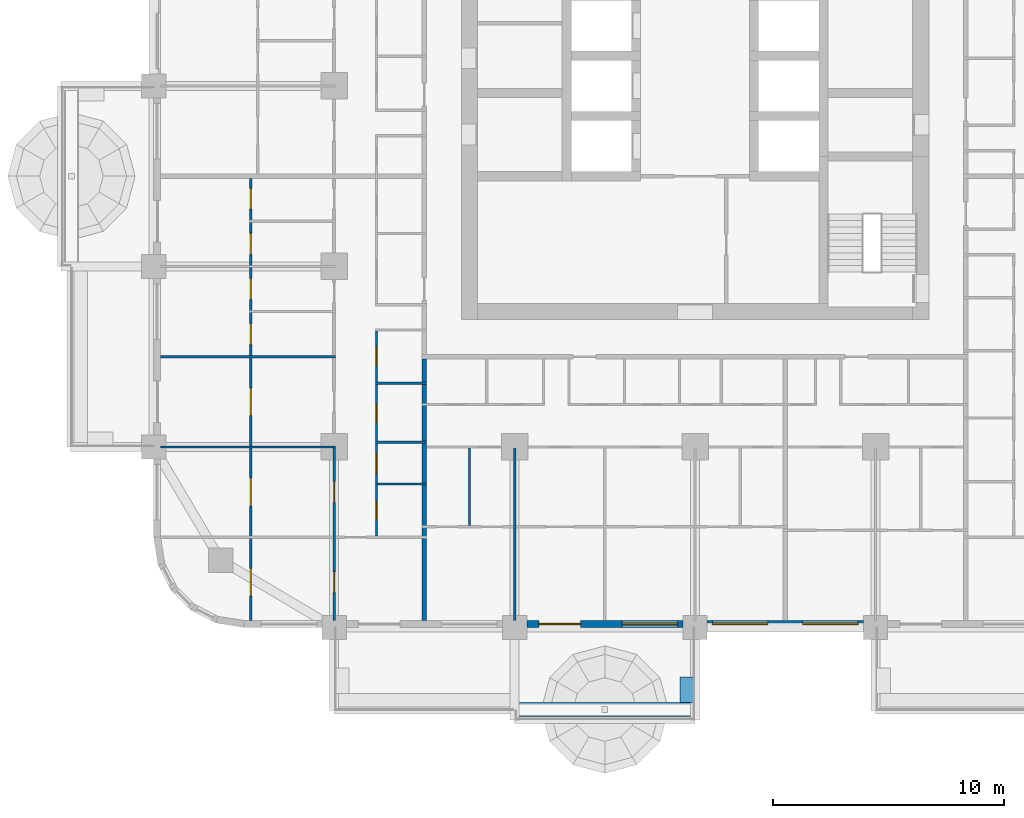
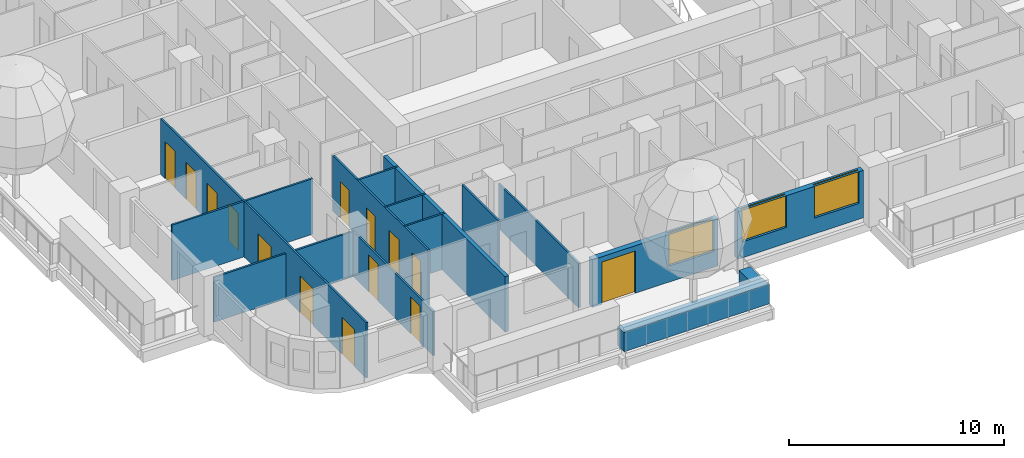
# One storey, part 3 of 18: 15 walls, 14 doors, 3 windows, 17 openings.
"""IFC4 building model written with IfcOpenShell, lengths in metres."""

import ifcopenshell
import ifcopenshell.guid

model = None  # the IFC model being written
_history = None  # IfcOwnerHistory: only IFC2X3 demands one
_inside = {}  # id of a spatial element -> (the spatial element, [elements in it])
_under = {}  # id of a project, library or spatial element -> (it, [spatial elements below it])
_declared = {}  # id of a project -> (the project, [libraries it declares])
_typed = {}  # id of a type object -> (the type object, [elements of that type])
_made_of = {}  # id of a material, layer set ... -> (it, [elements and type objects made of it])


def new_model(schema):
    """Start an empty IFC model of exactly this schema.

    Asked for "IFC4X3", IfcOpenShell would pick the latest addendum, in which some entities
    have other attributes; the version numbers below select the first issue.
    IFC2X3 requires an IfcOwnerHistory on every rooted entity: one is made here for all.
    """
    global model, _history
    if schema == "IFC4X3":
        model = ifcopenshell.file(schema_version=(4, 3, 0, 0))
    else:
        model = ifcopenshell.file(schema=schema)
    _inside.clear()
    _under.clear()
    _declared.clear()
    _typed.clear()
    _made_of.clear()
    _history = None
    if model.schema == "IFC2X3":
        org = make("IfcOrganization", Name="unknown")
        user = make(
            "IfcPersonAndOrganization",
            ThePerson=make("IfcPerson", FamilyName="unknown"),
            TheOrganization=org,
        )
        app = make(
            "IfcApplication",
            ApplicationDeveloper=org,
            Version="unknown",
            ApplicationFullName="unknown",
            ApplicationIdentifier="unknown",
        )
        _history = make(
            "IfcOwnerHistory",
            OwningUser=user,
            OwningApplication=app,
            ChangeAction="ADDED",
            CreationDate=0,
        )
    return model


def make(cls, **values):
    """One entity of the class cls with the attributes given. An attribute that is None is left unset."""
    return model.create_entity(
        cls, **{name: value for name, value in values.items() if value is not None}
    )


def rooted(cls, **values):
    """An entity with a GlobalId (a new one), such as an element, a storey or a relation."""
    return make(cls, GlobalId=ifcopenshell.guid.new(), OwnerHistory=_history, **values)


def si_unit(unit_type, name, prefix=None):
    """IfcSIUnit, for example si_unit("LENGTHUNIT", "METRE", prefix="MILLI")."""
    return make("IfcSIUnit", UnitType=unit_type, Prefix=prefix, Name=name)


def assignment(units):
    """IfcUnitAssignment: the units of a project."""
    return None if units is None else make("IfcUnitAssignment", Units=units)


def point(xyz):
    """IfcCartesianPoint."""
    return None if xyz is None else make("IfcCartesianPoint", Coordinates=xyz)


def direction(xyz):
    """IfcDirection."""
    return None if xyz is None else make("IfcDirection", DirectionRatios=xyz)


def frame(location, z_axis=None, x_axis=None):
    """IfcAxis2Placement3D, a coordinate frame: its origin and axes. An axis left out is left unset."""
    return make(
        "IfcAxis2Placement3D",
        Location=point(location),
        Axis=direction(z_axis),
        RefDirection=direction(x_axis),
    )


def frame_2d(location, x_axis=None):
    """IfcAxis2Placement2D, a coordinate frame in the plane: its origin and x axis."""
    return make(
        "IfcAxis2Placement2D", Location=point(location), RefDirection=direction(x_axis)
    )


def origin():
    """The frame at (0, 0, 0) with its axes left unset."""
    return frame((0.0, 0.0, 0.0))


def place(relative_to, where):
    """IfcLocalPlacement: puts the frame where relative to a parent placement (None: the world)."""
    return make(
        "IfcLocalPlacement", PlacementRelTo=relative_to, RelativePlacement=where
    )


def context(
    kind, dimensions, precision=None, world=None, true_north=None, identifier=None
):
    """IfcGeometricRepresentationContext, for example the 3D "Model" context."""
    return make(
        "IfcGeometricRepresentationContext",
        ContextIdentifier=identifier,
        ContextType=kind,
        CoordinateSpaceDimension=dimensions,
        Precision=precision,
        WorldCoordinateSystem=world,
        TrueNorth=true_north,
    )


def subcontext(parent, identifier, kind, view, scale=None):
    """IfcGeometricRepresentationSubContext, for example "Body" below "Model"."""
    return make(
        "IfcGeometricRepresentationSubContext",
        ContextIdentifier=identifier,
        ContextType=kind,
        ParentContext=parent,
        TargetScale=scale,
        TargetView=view,
    )


def project(units=None, contexts=None):
    """IfcProject with its units and contexts."""
    return rooted(
        "IfcProject",
        Name="project",
        RepresentationContexts=contexts,
        UnitsInContext=assignment(units),
    )


def spatial(cls, under=None, at=None, **own):
    """A site, building, storey or space (cls), placed at a placement, below another one or the project."""
    s = rooted(cls, ObjectPlacement=at, **own)
    if under is not None:
        _under.setdefault(under.id(), (under, []))[1].append(s)
    return s


def profile(cls, at=None, kind="AREA", **sizes):
    """A parametric profile (cls). Its sizes go by their IFC names, for example OverallWidth=200.0."""
    return make(cls, ProfileType=kind, Position=at, **sizes)


def rectangle(**sizes):
    """IfcRectangleProfileDef."""
    return profile("IfcRectangleProfileDef", **sizes)


def extrude(swept, where, along, depth):
    """IfcExtrudedAreaSolid: the profile swept, set in the frame where, extruded along a direction by depth."""
    return make(
        "IfcExtrudedAreaSolid",
        SweptArea=swept,
        Position=where,
        ExtrudedDirection=direction(along),
        Depth=depth,
    )


def shape(context_of_items, identifier, shape_type, items):
    """IfcShapeRepresentation: the items that make up one representation, for example the "Body"."""
    return make(
        "IfcShapeRepresentation",
        ContextOfItems=context_of_items,
        RepresentationIdentifier=identifier,
        RepresentationType=shape_type,
        Items=items,
    )


def material(Name=None, Category=None):
    """IfcMaterial."""
    return make("IfcMaterial", Name=Name, Category=Category)


def layer(
    of_material, thickness, ventilated=None, Name=None, Category=None, Priority=None
):
    """IfcMaterialLayer: one layer of a wall or slab, of a material (None: an air gap)."""
    return make(
        "IfcMaterialLayer",
        Material=of_material,
        LayerThickness=thickness,
        IsVentilated=ventilated,
        Name=Name,
        Category=Category,
        Priority=Priority,
    )


def layer_set(layers, Name=None):
    """IfcMaterialLayerSet."""
    return make("IfcMaterialLayerSet", MaterialLayers=layers, LayerSetName=Name)


def made_of(thing, what):
    """Note that an element or type object is made of a material, layer set ...; save() writes the relation."""
    if what is not None:
        _made_of.setdefault(what.id(), (what, []))[1].append(thing)
    return thing


def type_object(cls, material=None, **own):
    """A type object (cls), such as IfcWallType, which elements share."""
    return made_of(rooted(cls, **own), material)


def element(
    cls,
    number,
    at=None,
    inside=None,
    cuts=None,
    type_object=None,
    material=None,
    context=None,
    identifier="Body",
    shape_type=None,
    held_by="IfcProductDefinitionShape",
    body=None,
    shapes=None,
    **own,
):
    """One element of the class cls, such as IfcWall. Its Tag is "e" and its number.

    at: its placement. inside: the storey or other place that contains it. cuts: it is an
    opening in that element (IfcRelVoidsElement). A single representation is given by context,
    identifier, shape_type and body (its items); several are given by shapes. held_by: the class
    of the entity that holds the representations. save() writes the other relations.
    """
    e = rooted(cls, Tag="e%d" % number, ObjectPlacement=at, **own)
    if body is not None:
        shapes = [shape(context, identifier, shape_type, body)]
    if shapes is not None:
        e.Representation = make(held_by, Representations=shapes)
    if inside is not None:
        _inside.setdefault(inside.id(), (inside, []))[1].append(e)
    if cuts is not None:
        rooted(
            "IfcRelVoidsElement", RelatingBuildingElement=cuts, RelatedOpeningElement=e
        )
    if type_object is not None:
        _typed.setdefault(type_object.id(), (type_object, []))[1].append(e)
    return made_of(e, material)


def fill(opening, filler):
    """IfcRelFillsElement: the door or window that sits in an opening."""
    return rooted(
        "IfcRelFillsElement",
        RelatingOpeningElement=opening,
        RelatedBuildingElement=filler,
    )


def aggregate(whole, parts):
    """IfcRelAggregates: a whole, such as a stair, and the parts it consists of."""
    return rooted("IfcRelAggregates", RelatingObject=whole, RelatedObjects=parts)


def save(model, path):
    """Write the relations noted so far, then the file.

    IfcRelAggregates (storeys below a building ...), IfcRelContainedInSpatialStructure (elements
    in a storey), IfcRelDefinesByType, IfcRelAssociatesMaterial and IfcRelDeclares: one each for
    every whole, place, type object, material and project.
    """
    for whole, parts in _under.values():
        aggregate(whole, parts)
    for where, things in _inside.values():
        rooted(
            "IfcRelContainedInSpatialStructure",
            RelatedElements=things,
            RelatingStructure=where,
        )
    for kind, things in _typed.values():
        rooted("IfcRelDefinesByType", RelatedObjects=things, RelatingType=kind)
    for what, things in _made_of.values():
        rooted("IfcRelAssociatesMaterial", RelatedObjects=things, RelatingMaterial=what)
    for by, libraries in _declared.values():
        rooted("IfcRelDeclares", RelatingContext=by, RelatedDefinitions=libraries)
    model.write(path)


model = new_model("IFC4")

# Units and contexts
model_context = context("Model", 3, precision=1e-05, world=origin(), true_north=direction((0.0, 1.0)))
body_context = subcontext(model_context, "Body", "Model", "MODEL_VIEW")
ifc_project = project(units=[si_unit("LENGTHUNIT", "METRE"), si_unit("AREAUNIT", "SQUARE_METRE"), si_unit("VOLUMEUNIT", "CUBIC_METRE"), si_unit("PLANEANGLEUNIT", "RADIAN"), si_unit("MASSUNIT", "GRAM", prefix="KILO")], contexts=[model_context])

# Site, building, storey
site_placement = place(None, origin())
site = spatial("IfcSite", under=ifc_project, at=site_placement, CompositionType="ELEMENT")
building_placement = place(site_placement, origin())
building = spatial("IfcBuilding", under=site, at=building_placement, Name="Ludao Terraces", CompositionType="ELEMENT")
storey_placement = place(building_placement, frame((0.0, 0.0, 26.300048828125)))
storey = spatial("IfcBuildingStorey", under=building, at=storey_placement, Name="L06", CompositionType="ELEMENT", Elevation=26.300048828125)

# Walls
ifc_material_1 = material(Name="Concrete C40", Category="concrete")
ifc_layer_1 = layer(ifc_material_1, 0.60009765625)
ifc_layer_set_1 = layer_set([ifc_layer_1], Name="ENV Planter trough 600")
wall_type_1 = type_object("IfcWallType", Name="ENV Planter trough 600", PredefinedType="USERDEFINED", material=ifc_layer_set_1)
wall_1_placement = place(storey_placement, frame((77.199951171875, 38.050048828125, 0.0), z_axis=(0.0, 0.0, 1.0), x_axis=(1.0, 0.0, 0.0)))
element("IfcWall", 1, at=wall_1_placement, inside=storey, type_object=wall_type_1, Name="PL-L06-S2", ObjectType="PLANTER", PredefinedType="USERDEFINED", context=body_context, shape_type="SweptSolid", body=[
    extrude(rectangle(XDim=7.800048828125, YDim=0.60009765625, at=frame_2d((3.89990234375, 0.0))), origin(), (0.0, 0.0, 1.0), 1.099853515625),
])
wall_2_placement = place(storey_placement, frame((84.64990234375, 38.35009765625, 0.0), z_axis=(0.0, 0.0, 1.0), x_axis=(0.0, 1.0, 0.0)))
element("IfcWall", 2, at=wall_2_placement, inside=storey, type_object=wall_type_1, Name="PL-L06-S2-SB", ObjectType="PLANTER", PredefinedType="USERDEFINED", context=body_context, shape_type="SweptSolid", body=[
    extrude(rectangle(XDim=1.099853515625, YDim=0.60009765625, at=frame_2d((0.5498046875, 0.0))), origin(), (0.0, 0.0, 1.0), 1.099853515625),
])

# Wall, openings, door, window
ifc_material_2 = material(Name="Granite cladding", Category="masonry")
ifc_layer_2 = layer(ifc_material_2, 0.0400390625, Category="stone")
ifc_material_3 = material(Name="Mineral wool")
ifc_layer_3 = layer(ifc_material_3, 0.06005859375)
ifc_layer_4 = layer(ifc_material_1, 0.199951171875, Category="concrete")
ifc_layer_set_2 = layer_set([ifc_layer_2, ifc_layer_3, ifc_layer_4], Name="ENV Stone-clad wall 300")
wall_type_2 = type_object("IfcWallType", Name="ENV Stone-clad wall 300", PredefinedType="SOLIDWALL", material=ifc_layer_set_2)
wall_3_placement = place(storey_placement, frame((77.72509765625, 41.75, 0.0), z_axis=(0.0, 0.0, 1.0), x_axis=(1.0, 0.0, 0.0)))
wall_3 = element("IfcWall", 3, at=wall_3_placement, inside=storey, type_object=wall_type_2, Name="EW-L06-S3", PredefinedType="SOLIDWALL", context=body_context, shape_type="SweptSolid", body=[
    extrude(rectangle(XDim=6.75, YDim=0.300048828125, at=frame_2d((3.375, 0.0))), origin(), (0.0, 0.0, 1.0), 2.699951171875),
])
opening_1_placement = place(wall_3_placement, frame((0.52490234375, 0.0, 0.0)))
opening_1 = element("IfcOpeningElement", 4, at=opening_1_placement, cuts=wall_3, Name="Opening BD", PredefinedType="OPENING", context=body_context, shape_type="SweptSolid", body=[
    extrude(rectangle(XDim=1.800048828125, YDim=2.39990234375, at=frame_2d((0.89990234375, 1.199951171875))), frame((0.0, 0.16015625, 0.0), z_axis=(0.0, -1.0, 0.0), x_axis=(1.0, 0.0, 0.0)), (0.0, 0.0, 1.0), 0.320068359375),
])
opening_2_placement = place(wall_3_placement, frame((4.125, 0.0, 0.89990234375)))
opening_2 = element("IfcOpeningElement", 5, at=opening_2_placement, cuts=wall_3, Name="Opening W1", PredefinedType="OPENING", context=body_context, shape_type="SweptSolid", body=[
    extrude(rectangle(XDim=2.39990234375, YDim=1.800048828125, at=frame_2d((1.199951171875, 0.89990234375))), frame((0.0, 0.16015625, 0.0), z_axis=(0.0, -1.0, 0.0), x_axis=(1.0, 0.0, 0.0)), (0.0, 0.0, 1.0), 0.320068359375),
])
ifc_material_4 = material(Name="Aluminium glazed door", Category="aluminium")
ifc_layer_5 = layer(ifc_material_4, 0.06005859375)
ifc_layer_set_3 = layer_set([ifc_layer_5], Name="ENV Balcony door BD 1800x2400")
door_type_1 = type_object("IfcDoorType", Name="ENV Balcony door BD 1800x2400", OperationType="DOUBLE_DOOR_SINGLE_SWING", PredefinedType="DOOR", material=ifc_layer_set_3)
door_1_placement = place(opening_1_placement, origin())
door_1 = element("IfcDoor", 6, at=door_1_placement, inside=storey, type_object=door_type_1, Name="BD-L06-S3-1", OperationType="DOUBLE_DOOR_SINGLE_SWING", OverallHeight=2.39990234375, OverallWidth=1.800048828125, PredefinedType="DOOR", context=body_context, shape_type="SweptSolid", body=[
    extrude(rectangle(XDim=1.800048828125, YDim=2.39990234375, at=frame_2d((0.89990234375, 1.199951171875))), frame((0.0, 0.02490234375, 0.0), z_axis=(0.0, -1.0, 0.0), x_axis=(1.0, 0.0, 0.0)), (0.0, 0.0, 1.0), 0.050048828125),
])
fill(opening_1, door_1)
ifc_material_5 = material(Name="Clear glass in aluminium frame", Category="aluminium")
ifc_layer_6 = layer(ifc_material_5, 0.06005859375)
ifc_layer_set_4 = layer_set([ifc_layer_6], Name="ENV Window W1 2400x1800")
window_type = type_object("IfcWindowType", Name="ENV Window W1 2400x1800", PartitioningType="DOUBLE_PANEL_VERTICAL", PredefinedType="WINDOW", material=ifc_layer_set_4)
window_1_placement = place(opening_2_placement, origin())
window_1 = element("IfcWindow", 7, at=window_1_placement, inside=storey, type_object=window_type, Name="W-L06-S3-2", OverallHeight=1.800048828125, OverallWidth=2.39990234375, PartitioningType="DOUBLE_PANEL_VERTICAL", PredefinedType="WINDOW", context=body_context, shape_type="SweptSolid", body=[
    extrude(rectangle(XDim=2.39990234375, YDim=1.800048828125, at=frame_2d((1.199951171875, 0.89990234375))), frame((0.0, 0.030029296875, 0.0), z_axis=(0.0, -1.0, 0.0), x_axis=(1.0, 0.0, 0.0)), (0.0, 0.0, 1.0), 0.06005859375),
])
fill(opening_2, window_1)

# Wall, openings, windows
wall_4_placement = place(storey_placement, frame((85.52490234375, 41.75, 0.0), z_axis=(0.0, 0.0, 1.0), x_axis=(1.0, 0.0, 0.0)))
wall_4 = element("IfcWall", 8, at=wall_4_placement, inside=storey, type_object=wall_type_2, Name="EW-L06-S4", PredefinedType="SOLIDWALL", context=body_context, shape_type="SweptSolid", body=[
    extrude(rectangle(XDim=6.75, YDim=0.300048828125, at=frame_2d((3.375, 0.0))), origin(), (0.0, 0.0, 1.0), 2.699951171875),
])
opening_3_placement = place(wall_4_placement, frame((0.22509765625, 0.0, 0.89990234375)))
opening_3 = element("IfcOpeningElement", 9, at=opening_3_placement, cuts=wall_4, Name="Opening W1", PredefinedType="OPENING", context=body_context, shape_type="SweptSolid", body=[
    extrude(rectangle(XDim=2.39990234375, YDim=1.800048828125, at=frame_2d((1.199951171875, 0.89990234375))), frame((0.0, 0.16015625, 0.0), z_axis=(0.0, -1.0, 0.0), x_axis=(1.0, 0.0, 0.0)), (0.0, 0.0, 1.0), 0.320068359375),
])
opening_4_placement = place(wall_4_placement, frame((4.125, 0.0, 0.89990234375)))
opening_4 = element("IfcOpeningElement", 10, at=opening_4_placement, cuts=wall_4, Name="Opening W1", PredefinedType="OPENING", context=body_context, shape_type="SweptSolid", body=[
    extrude(rectangle(XDim=2.39990234375, YDim=1.800048828125, at=frame_2d((1.199951171875, 0.89990234375))), frame((0.0, 0.16015625, 0.0), z_axis=(0.0, -1.0, 0.0), x_axis=(1.0, 0.0, 0.0)), (0.0, 0.0, 1.0), 0.320068359375),
])
window_2_placement = place(opening_3_placement, origin())
window_2 = element("IfcWindow", 11, at=window_2_placement, inside=storey, type_object=window_type, Name="W-L06-S4-1", OverallHeight=1.800048828125, OverallWidth=2.39990234375, PartitioningType="DOUBLE_PANEL_VERTICAL", PredefinedType="WINDOW", context=body_context, shape_type="SweptSolid", body=[
    extrude(rectangle(XDim=2.39990234375, YDim=1.800048828125, at=frame_2d((1.199951171875, 0.89990234375))), frame((0.0, 0.030029296875, 0.0), z_axis=(0.0, -1.0, 0.0), x_axis=(1.0, 0.0, 0.0)), (0.0, 0.0, 1.0), 0.06005859375),
])
fill(opening_3, window_2)
window_3_placement = place(opening_4_placement, origin())
window_3 = element("IfcWindow", 12, at=window_3_placement, inside=storey, type_object=window_type, Name="W-L06-S4-2", OverallHeight=1.800048828125, OverallWidth=2.39990234375, PartitioningType="DOUBLE_PANEL_VERTICAL", PredefinedType="WINDOW", context=body_context, shape_type="SweptSolid", body=[
    extrude(rectangle(XDim=2.39990234375, YDim=1.800048828125, at=frame_2d((1.199951171875, 0.89990234375))), frame((0.0, 0.030029296875, 0.0), z_axis=(0.0, -1.0, 0.0), x_axis=(1.0, 0.0, 0.0)), (0.0, 0.0, 1.0), 0.06005859375),
])
fill(opening_4, window_3)

# Walls
ifc_material_6 = material(Name="Gypsum plasterboard", Category="gypsum")
ifc_layer_7 = layer(ifc_material_6, 0.012451171875, Category="gypsum")
ifc_layer_8 = layer(ifc_material_3, 0.06005859375, Name="insulation")
ifc_material_7 = material(Name="Steel Q235", Category="steel")
ifc_layer_9 = layer(ifc_material_7, 0.014892578125, Name="stud")
ifc_layer_10 = layer(ifc_material_6, 0.012451171875, Category="gypsum")
ifc_layer_set_5 = layer_set([ifc_layer_7, ifc_layer_8, ifc_layer_9, ifc_layer_10], Name="INT Partition 100")
wall_type_3 = type_object("IfcWallType", Name="INT Partition 100", PredefinedType="PARTITIONING", material=ifc_layer_set_5)
wall_5_placement = place(storey_placement, frame((71.18017578125, 47.800048828125, 0.0), z_axis=(0.0, 0.0, 1.0), x_axis=(1.0, 0.0, 0.0)))
element("IfcWall", 13, at=wall_5_placement, inside=storey, type_object=wall_type_3, Name="PW-L06-PW005", PredefinedType="PARTITIONING", context=body_context, shape_type="SweptSolid", body=[
    extrude(rectangle(XDim=2.219970703125, YDim=0.10009765625, at=frame_2d((1.10986328125, 0.0))), origin(), (0.0, 0.0, 1.0), 3.14990234375),
])
wall_6_placement = place(storey_placement, frame((61.900146484375, 49.39990234375, 0.0), z_axis=(0.0, 0.0, 1.0), x_axis=(1.0, 0.0, 0.0)))
element("IfcWall", 14, at=wall_6_placement, inside=storey, type_object=wall_type_3, Name="PW-L06-PW007", PredefinedType="PARTITIONING", context=body_context, shape_type="SweptSolid", body=[
    extrude(rectangle(XDim=7.550048828125, YDim=0.10009765625, at=frame_2d((3.77490234375, 0.0))), origin(), (0.0, 0.0, 1.0), 2.5498046875),
])
for number, where, z_axis, x_axis, name in (
    (15, (71.18017578125, 49.60009765625, 0.0), (0.0, 0.0, 1.0), (1.0, 0.0, 0.0), "PW-L06-PW010"),
    (16, (71.18017578125, 52.14990234375, 0.0), (0.0, 0.0, 1.0), (1.0, 0.0, 0.0), "PW-L06-PW015"),
):
    element("IfcWall", number, at=place(storey_placement, frame(where, z_axis=z_axis, x_axis=x_axis)), inside=storey, type_object=wall_type_3, Name=name, PredefinedType="PARTITIONING", context=body_context, shape_type="SweptSolid", body=[
        extrude(rectangle(XDim=2.219970703125, YDim=0.10009765625, at=frame_2d((1.10986328125, 0.0))), origin(), (0.0, 0.0, 1.0), 3.14990234375),
    ])
wall_7_placement = place(storey_placement, frame((61.900146484375, 53.300048828125, 0.0), z_axis=(0.0, 0.0, 1.0), x_axis=(1.0, 0.0, 0.0)))
element("IfcWall", 17, at=wall_7_placement, inside=storey, type_object=wall_type_3, Name="PW-L06-PW016", PredefinedType="PARTITIONING", context=body_context, shape_type="SweptSolid", body=[
    extrude(rectangle(XDim=7.550048828125, YDim=0.10009765625, at=frame_2d((3.77490234375, 0.0))), origin(), (0.0, 0.0, 1.0), 3.14990234375),
])

# Wall, openings, doors
wall_8_placement = place(storey_placement, frame((65.800048828125, 41.900146484375, 0.0), z_axis=(0.0, 0.0, 1.0), x_axis=(0.0, 1.0, 0.0)))
wall_8 = element("IfcWall", 18, at=wall_8_placement, inside=storey, type_object=wall_type_3, Name="PW-L06-PW073", PredefinedType="PARTITIONING", context=body_context, shape_type="SweptSolid", body=[
    extrude(rectangle(XDim=19.099853515625, YDim=0.10009765625, at=frame_2d((9.5498046875, 0.0))), origin(), (0.0, 0.0, 1.0), 3.14990234375),
])
opening_5_placement = place(wall_8_placement, frame((1.050048828125, 0.0, 0.0)))
opening_5 = element("IfcOpeningElement", 19, at=opening_5_placement, cuts=wall_8, Name="Opening R01-001", PredefinedType="OPENING", context=body_context, shape_type="SweptSolid", body=[
    extrude(rectangle(XDim=1.199951171875, YDim=2.10009765625, at=frame_2d((0.60009765625, 1.050048828125))), frame((0.0, 0.06005859375, 0.0), z_axis=(0.0, -1.0, 0.0), x_axis=(1.0, 0.0, 0.0)), (0.0, 0.0, 1.0), 0.1201171875),
])
opening_6_placement = place(wall_8_placement, frame((4.949951171875, 0.0, 0.0)))
opening_6 = element("IfcOpeningElement", 20, at=opening_6_placement, cuts=wall_8, Name="Opening R01-019", PredefinedType="OPENING", context=body_context, shape_type="SweptSolid", body=[
    extrude(rectangle(XDim=1.199951171875, YDim=2.10009765625, at=frame_2d((0.60009765625, 1.050048828125))), frame((0.0, 0.06005859375, 0.0), z_axis=(0.0, -1.0, 0.0), x_axis=(1.0, 0.0, 0.0)), (0.0, 0.0, 1.0), 0.1201171875),
])
opening_7_placement = place(wall_8_placement, frame((8.85009765625, 0.0, 0.0)))
opening_7 = element("IfcOpeningElement", 21, at=opening_7_placement, cuts=wall_8, Name="Opening R01-041", PredefinedType="OPENING", context=body_context, shape_type="SweptSolid", body=[
    extrude(rectangle(XDim=1.199951171875, YDim=2.10009765625, at=frame_2d((0.60009765625, 1.050048828125))), frame((0.0, 0.06005859375, 0.0), z_axis=(0.0, -1.0, 0.0), x_axis=(1.0, 0.0, 0.0)), (0.0, 0.0, 1.0), 0.1201171875),
])
opening_8_placement = place(wall_8_placement, frame((11.925048828125, 0.0, 0.0)))
opening_8 = element("IfcOpeningElement", 22, at=opening_8_placement, cuts=wall_8, Name="Opening R01-049", PredefinedType="OPENING", context=body_context, shape_type="SweptSolid", body=[
    extrude(rectangle(XDim=0.89990234375, YDim=2.10009765625, at=frame_2d((0.449951171875, 1.050048828125))), frame((0.0, 0.06005859375, 0.0), z_axis=(0.0, -1.0, 0.0), x_axis=(1.0, 0.0, 0.0)), (0.0, 0.0, 1.0), 0.1201171875),
])
opening_9_placement = place(wall_8_placement, frame((13.875, 0.0, 0.0)))
opening_9 = element("IfcOpeningElement", 23, at=opening_9_placement, cuts=wall_8, Name="Opening R01-055", PredefinedType="OPENING", context=body_context, shape_type="SweptSolid", body=[
    extrude(rectangle(XDim=0.89990234375, YDim=2.10009765625, at=frame_2d((0.449951171875, 1.050048828125))), frame((0.0, 0.06005859375, 0.0), z_axis=(0.0, -1.0, 0.0), x_axis=(1.0, 0.0, 0.0)), (0.0, 0.0, 1.0), 0.1201171875),
])
opening_10_placement = place(wall_8_placement, frame((15.824951171875, 0.0, 0.0)))
opening_10 = element("IfcOpeningElement", 24, at=opening_10_placement, cuts=wall_8, Name="Opening R01-061", PredefinedType="OPENING", context=body_context, shape_type="SweptSolid", body=[
    extrude(rectangle(XDim=0.89990234375, YDim=2.10009765625, at=frame_2d((0.449951171875, 1.050048828125))), frame((0.0, 0.06005859375, 0.0), z_axis=(0.0, -1.0, 0.0), x_axis=(1.0, 0.0, 0.0)), (0.0, 0.0, 1.0), 0.1201171875),
])
opening_11_placement = place(wall_8_placement, frame((17.77490234375, 0.0, 0.0)))
opening_11 = element("IfcOpeningElement", 25, at=opening_11_placement, cuts=wall_8, Name="Opening R01-066", PredefinedType="OPENING", context=body_context, shape_type="SweptSolid", body=[
    extrude(rectangle(XDim=0.89990234375, YDim=2.10009765625, at=frame_2d((0.449951171875, 1.050048828125))), frame((0.0, 0.06005859375, 0.0), z_axis=(0.0, -1.0, 0.0), x_axis=(1.0, 0.0, 0.0)), (0.0, 0.0, 1.0), 0.1201171875),
])
ifc_material_8 = material(Name="Timber door leaf", Category="wood")
door_type_2 = type_object("IfcDoorType", Name="INT Bathroom door 900", OperationType="SINGLE_SWING_LEFT", PredefinedType="DOOR", material=ifc_material_8)
door_2_placement = place(opening_8_placement, origin())
door_2 = element("IfcDoor", 26, at=door_2_placement, inside=storey, type_object=door_type_2, Name="DOOR 049", OperationType="SINGLE_SWING_RIGHT", OverallHeight=2.10009765625, OverallWidth=0.89990234375, PredefinedType="DOOR", context=body_context, shape_type="SweptSolid", body=[
    extrude(rectangle(XDim=0.89990234375, YDim=2.10009765625, at=frame_2d((0.449951171875, 1.050048828125))), frame((0.0, 0.02490234375, 0.0), z_axis=(0.0, -1.0, 0.0), x_axis=(1.0, 0.0, 0.0)), (0.0, 0.0, 1.0), 0.050048828125),
])
fill(opening_8, door_2)
door_3_placement = place(opening_10_placement, origin())
door_3 = element("IfcDoor", 27, at=door_3_placement, inside=storey, type_object=door_type_2, Name="DOOR 061", OperationType="SINGLE_SWING_LEFT", OverallHeight=2.10009765625, OverallWidth=0.89990234375, PredefinedType="DOOR", context=body_context, shape_type="SweptSolid", body=[
    extrude(rectangle(XDim=0.89990234375, YDim=2.10009765625, at=frame_2d((0.449951171875, 1.050048828125))), frame((0.0, 0.02490234375, 0.0), z_axis=(0.0, -1.0, 0.0), x_axis=(1.0, 0.0, 0.0)), (0.0, 0.0, 1.0), 0.050048828125),
])
fill(opening_10, door_3)
door_type_3 = type_object("IfcDoorType", Name="INT Double door 1200", OperationType="DOUBLE_DOOR_SINGLE_SWING", PredefinedType="DOOR", material=ifc_material_8)
door_4_placement = place(opening_5_placement, origin())
door_4 = element("IfcDoor", 28, at=door_4_placement, inside=storey, type_object=door_type_3, Name="DOOR 001", OperationType="DOUBLE_DOOR_SINGLE_SWING", OverallHeight=2.10009765625, OverallWidth=1.199951171875, PredefinedType="DOOR", context=body_context, shape_type="SweptSolid", body=[
    extrude(rectangle(XDim=1.199951171875, YDim=2.10009765625, at=frame_2d((0.60009765625, 1.050048828125))), frame((0.0, 0.02490234375, 0.0), z_axis=(0.0, -1.0, 0.0), x_axis=(1.0, 0.0, 0.0)), (0.0, 0.0, 1.0), 0.050048828125),
])
fill(opening_5, door_4)
door_5_placement = place(opening_6_placement, origin())
door_5 = element("IfcDoor", 29, at=door_5_placement, inside=storey, type_object=door_type_3, Name="DOOR 019", OperationType="DOUBLE_DOOR_SINGLE_SWING", OverallHeight=2.10009765625, OverallWidth=1.199951171875, PredefinedType="DOOR", context=body_context, shape_type="SweptSolid", body=[
    extrude(rectangle(XDim=1.199951171875, YDim=2.10009765625, at=frame_2d((0.60009765625, 1.050048828125))), frame((0.0, 0.02490234375, 0.0), z_axis=(0.0, -1.0, 0.0), x_axis=(1.0, 0.0, 0.0)), (0.0, 0.0, 1.0), 0.050048828125),
])
fill(opening_6, door_5)
door_6_placement = place(opening_7_placement, origin())
door_6 = element("IfcDoor", 30, at=door_6_placement, inside=storey, type_object=door_type_3, Name="DOOR 041", OperationType="DOUBLE_DOOR_SINGLE_SWING", OverallHeight=2.10009765625, OverallWidth=1.199951171875, PredefinedType="DOOR", context=body_context, shape_type="SweptSolid", body=[
    extrude(rectangle(XDim=1.199951171875, YDim=2.10009765625, at=frame_2d((0.60009765625, 1.050048828125))), frame((0.0, 0.02490234375, 0.0), z_axis=(0.0, -1.0, 0.0), x_axis=(1.0, 0.0, 0.0)), (0.0, 0.0, 1.0), 0.050048828125),
])
fill(opening_7, door_6)
door_type_4 = type_object("IfcDoorType", Name="INT Room door 900", OperationType="SINGLE_SWING_LEFT", PredefinedType="DOOR", material=ifc_material_8)
door_7_placement = place(opening_9_placement, origin())
door_7 = element("IfcDoor", 31, at=door_7_placement, inside=storey, type_object=door_type_4, Name="DOOR 055", OperationType="SINGLE_SWING_RIGHT", OverallHeight=2.10009765625, OverallWidth=0.89990234375, PredefinedType="DOOR", context=body_context, shape_type="SweptSolid", body=[
    extrude(rectangle(XDim=0.89990234375, YDim=2.10009765625, at=frame_2d((0.449951171875, 1.050048828125))), frame((0.0, 0.02490234375, 0.0), z_axis=(0.0, -1.0, 0.0), x_axis=(1.0, 0.0, 0.0)), (0.0, 0.0, 1.0), 0.050048828125),
])
fill(opening_9, door_7)
door_8_placement = place(opening_11_placement, origin())
door_8 = element("IfcDoor", 32, at=door_8_placement, inside=storey, type_object=door_type_4, Name="DOOR 066", OperationType="SINGLE_SWING_LEFT", OverallHeight=2.10009765625, OverallWidth=0.89990234375, PredefinedType="DOOR", context=body_context, shape_type="SweptSolid", body=[
    extrude(rectangle(XDim=0.89990234375, YDim=2.10009765625, at=frame_2d((0.449951171875, 1.050048828125))), frame((0.0, 0.02490234375, 0.0), z_axis=(0.0, -1.0, 0.0), x_axis=(1.0, 0.0, 0.0)), (0.0, 0.0, 1.0), 0.050048828125),
])
fill(opening_11, door_8)

wall_9_placement = place(storey_placement, frame((69.39990234375, 41.900146484375, 0.0), z_axis=(0.0, 0.0, 1.0), x_axis=(0.0, 1.0, 0.0)))
wall_9 = element("IfcWall", 33, at=wall_9_placement, inside=storey, type_object=wall_type_3, Name="PW-L06-PW077", PredefinedType="PARTITIONING", context=body_context, shape_type="SweptSolid", body=[
    extrude(rectangle(XDim=7.499755859375, YDim=0.10009765625, at=frame_2d((3.75, 0.0))), origin(), (0.0, 0.0, 1.0), 2.5498046875),
])
opening_12_placement = place(wall_9_placement, frame((1.199951171875, 0.0, 0.0)))
opening_12 = element("IfcOpeningElement", 34, at=opening_12_placement, cuts=wall_9, Name="Opening R01-002", PredefinedType="OPENING", context=body_context, shape_type="SweptSolid", body=[
    extrude(rectangle(XDim=0.89990234375, YDim=2.10009765625, at=frame_2d((0.449951171875, 1.050048828125))), frame((0.0, 0.06005859375, 0.0), z_axis=(0.0, -1.0, 0.0), x_axis=(1.0, 0.0, 0.0)), (0.0, 0.0, 1.0), 0.1201171875),
])
opening_13_placement = place(wall_9_placement, frame((5.10009765625, 0.0, 0.0)))
opening_13 = element("IfcOpeningElement", 35, at=opening_13_placement, cuts=wall_9, Name="Opening R01-020", PredefinedType="OPENING", context=body_context, shape_type="SweptSolid", body=[
    extrude(rectangle(XDim=0.89990234375, YDim=2.10009765625, at=frame_2d((0.449951171875, 1.050048828125))), frame((0.0, 0.06005859375, 0.0), z_axis=(0.0, -1.0, 0.0), x_axis=(1.0, 0.0, 0.0)), (0.0, 0.0, 1.0), 0.1201171875),
])
door_9_placement = place(opening_12_placement, origin())
door_9 = element("IfcDoor", 36, at=door_9_placement, inside=storey, type_object=door_type_4, Name="DOOR 002", OperationType="SINGLE_SWING_LEFT", OverallHeight=2.10009765625, OverallWidth=0.89990234375, PredefinedType="DOOR", context=body_context, shape_type="SweptSolid", body=[
    extrude(rectangle(XDim=0.89990234375, YDim=2.10009765625, at=frame_2d((0.449951171875, 1.050048828125))), frame((0.0, 0.02490234375, 0.0), z_axis=(0.0, -1.0, 0.0), x_axis=(1.0, 0.0, 0.0)), (0.0, 0.0, 1.0), 0.050048828125),
])
fill(opening_12, door_9)
door_10_placement = place(opening_13_placement, origin())
door_10 = element("IfcDoor", 37, at=door_10_placement, inside=storey, type_object=door_type_4, Name="DOOR 020", OperationType="SINGLE_SWING_RIGHT", OverallHeight=2.10009765625, OverallWidth=0.89990234375, PredefinedType="DOOR", context=body_context, shape_type="SweptSolid", body=[
    extrude(rectangle(XDim=0.89990234375, YDim=2.10009765625, at=frame_2d((0.449951171875, 1.050048828125))), frame((0.0, 0.02490234375, 0.0), z_axis=(0.0, -1.0, 0.0), x_axis=(1.0, 0.0, 0.0)), (0.0, 0.0, 1.0), 0.050048828125),
])
fill(opening_13, door_10)

wall_10_placement = place(storey_placement, frame((71.22998046875, 45.550048828125, 0.0), z_axis=(0.0, 0.0, 1.0), x_axis=(0.0, 1.0, 0.0)))
wall_10 = element("IfcWall", 38, at=wall_10_placement, inside=storey, type_object=wall_type_3, Name="PW-L06-PW078", PredefinedType="PARTITIONING", context=body_context, shape_type="SweptSolid", body=[
    extrude(rectangle(XDim=8.85009765625, YDim=0.10009765625, at=frame_2d((4.425048828125, 0.0))), origin(), (0.0, 0.0, 1.0), 3.14990234375),
])
opening_14_placement = place(wall_10_placement, frame((0.699951171875, 0.0, 0.0)))
opening_14 = element("IfcOpeningElement", 39, at=opening_14_placement, cuts=wall_10, Name="Opening R01-017", PredefinedType="OPENING", context=body_context, shape_type="SweptSolid", body=[
    extrude(rectangle(XDim=0.800048828125, YDim=2.10009765625, at=frame_2d((0.39990234375, 1.050048828125))), frame((0.0, 0.06005859375, 0.0), z_axis=(0.0, -1.0, 0.0), x_axis=(1.0, 0.0, 0.0)), (0.0, 0.0, 1.0), 0.1201171875),
])
opening_15_placement = place(wall_10_placement, frame((2.699951171875, 0.0, 0.0)))
opening_15 = element("IfcOpeningElement", 40, at=opening_15_placement, cuts=wall_10, Name="Opening R01-023", PredefinedType="OPENING", context=body_context, shape_type="SweptSolid", body=[
    extrude(rectangle(XDim=0.89990234375, YDim=2.10009765625, at=frame_2d((0.449951171875, 1.050048828125))), frame((0.0, 0.06005859375, 0.0), z_axis=(0.0, -1.0, 0.0), x_axis=(1.0, 0.0, 0.0)), (0.0, 0.0, 1.0), 0.1201171875),
])
opening_16_placement = place(wall_10_placement, frame((4.925048828125, 0.0, 0.0)))
opening_16 = element("IfcOpeningElement", 41, at=opening_16_placement, cuts=wall_10, Name="Opening R01-031", PredefinedType="OPENING", context=body_context, shape_type="SweptSolid", body=[
    extrude(rectangle(XDim=0.800048828125, YDim=2.10009765625, at=frame_2d((0.39990234375, 1.050048828125))), frame((0.0, 0.06005859375, 0.0), z_axis=(0.0, -1.0, 0.0), x_axis=(1.0, 0.0, 0.0)), (0.0, 0.0, 1.0), 0.1201171875),
])
opening_17_placement = place(wall_10_placement, frame((7.35009765625, 0.0, 0.0)))
opening_17 = element("IfcOpeningElement", 42, at=opening_17_placement, cuts=wall_10, Name="Opening R01-046", PredefinedType="OPENING", context=body_context, shape_type="SweptSolid", body=[
    extrude(rectangle(XDim=0.800048828125, YDim=2.10009765625, at=frame_2d((0.39990234375, 1.050048828125))), frame((0.0, 0.06005859375, 0.0), z_axis=(0.0, -1.0, 0.0), x_axis=(1.0, 0.0, 0.0)), (0.0, 0.0, 1.0), 0.1201171875),
])
door_11_placement = place(opening_15_placement, origin())
door_11 = element("IfcDoor", 43, at=door_11_placement, inside=storey, type_object=door_type_2, Name="DOOR 023", OperationType="SINGLE_SWING_RIGHT", OverallHeight=2.10009765625, OverallWidth=0.89990234375, PredefinedType="DOOR", context=body_context, shape_type="SweptSolid", body=[
    extrude(rectangle(XDim=0.89990234375, YDim=2.10009765625, at=frame_2d((0.449951171875, 1.050048828125))), frame((0.0, 0.02490234375, 0.0), z_axis=(0.0, -1.0, 0.0), x_axis=(1.0, 0.0, 0.0)), (0.0, 0.0, 1.0), 0.050048828125),
])
fill(opening_15, door_11)
door_type_5 = type_object("IfcDoorType", Name="INT Store door 800", OperationType="SINGLE_SWING_LEFT", PredefinedType="DOOR", material=ifc_material_8)
door_12_placement = place(opening_14_placement, origin())
door_12 = element("IfcDoor", 44, at=door_12_placement, inside=storey, type_object=door_type_5, Name="DOOR 017", OperationType="SINGLE_SWING_RIGHT", OverallHeight=2.10009765625, OverallWidth=0.800048828125, PredefinedType="DOOR", context=body_context, shape_type="SweptSolid", body=[
    extrude(rectangle(XDim=0.800048828125, YDim=2.10009765625, at=frame_2d((0.39990234375, 1.050048828125))), frame((0.0, 0.02490234375, 0.0), z_axis=(0.0, -1.0, 0.0), x_axis=(1.0, 0.0, 0.0)), (0.0, 0.0, 1.0), 0.050048828125),
])
fill(opening_14, door_12)
door_13_placement = place(opening_16_placement, origin())
door_13 = element("IfcDoor", 45, at=door_13_placement, inside=storey, type_object=door_type_5, Name="DOOR 031", OperationType="SINGLE_SWING_RIGHT", OverallHeight=2.10009765625, OverallWidth=0.800048828125, PredefinedType="DOOR", context=body_context, shape_type="SweptSolid", body=[
    extrude(rectangle(XDim=0.800048828125, YDim=2.10009765625, at=frame_2d((0.39990234375, 1.050048828125))), frame((0.0, 0.02490234375, 0.0), z_axis=(0.0, -1.0, 0.0), x_axis=(1.0, 0.0, 0.0)), (0.0, 0.0, 1.0), 0.050048828125),
])
fill(opening_16, door_13)
door_14_placement = place(opening_17_placement, origin())
door_14 = element("IfcDoor", 46, at=door_14_placement, inside=storey, type_object=door_type_5, Name="DOOR 046", OperationType="SINGLE_SWING_RIGHT", OverallHeight=2.10009765625, OverallWidth=0.800048828125, PredefinedType="DOOR", context=body_context, shape_type="SweptSolid", body=[
    extrude(rectangle(XDim=0.800048828125, YDim=2.10009765625, at=frame_2d((0.39990234375, 1.050048828125))), frame((0.0, 0.02490234375, 0.0), z_axis=(0.0, -1.0, 0.0), x_axis=(1.0, 0.0, 0.0)), (0.0, 0.0, 1.0), 0.050048828125),
])
fill(opening_17, door_14)

# Walls
wall_11_placement = place(storey_placement, frame((75.25, 46.0, 0.0), z_axis=(0.0, 0.0, 1.0), x_axis=(0.0, 1.0, 0.0)))
element("IfcWall", 47, at=wall_11_placement, inside=storey, type_object=wall_type_3, Name="PW-L06-PW086", PredefinedType="PARTITIONING", context=body_context, shape_type="SweptSolid", body=[
    extrude(rectangle(XDim=3.35009765625, YDim=0.10009765625, at=frame_2d((1.675048828125, 0.0))), origin(), (0.0, 0.0, 1.0), 3.14990234375),
])
wall_12_placement = place(storey_placement, frame((77.199951171875, 41.900146484375, 0.0), z_axis=(0.0, 0.0, 1.0), x_axis=(0.0, 1.0, 0.0)))
element("IfcWall", 48, at=wall_12_placement, inside=storey, type_object=wall_type_3, Name="PW-L06-PW088", PredefinedType="PARTITIONING", context=body_context, shape_type="SweptSolid", body=[
    extrude(rectangle(XDim=7.449951171875, YDim=0.10009765625, at=frame_2d((3.72509765625, 0.0))), origin(), (0.0, 0.0, 1.0), 2.5498046875),
])
ifc_material_9 = material(Name="Autoclaved aerated concrete block B06 A3.5", Category="concrete")
ifc_layer_11 = layer(ifc_material_9, 0.199951171875)
ifc_layer_set_6 = layer_set([ifc_layer_11], Name="INT Party wall 200")
wall_type_4 = type_object("IfcWallType", Name="INT Party wall 200", PredefinedType="PARTITIONING", material=ifc_layer_set_6)
wall_13_placement = place(storey_placement, frame((73.300048828125, 41.900146484375, 0.0), z_axis=(0.0, 0.0, 1.0), x_axis=(0.0, 1.0, 0.0)))
element("IfcWall", 49, at=wall_13_placement, inside=storey, type_object=wall_type_4, Name="PW-L06-PW083", PredefinedType="PARTITIONING", context=body_context, shape_type="SweptSolid", body=[
    extrude(rectangle(XDim=11.300048828125, YDim=0.199951171875, at=frame_2d((5.64990234375, 0.0))), origin(), (0.0, 0.0, 1.0), 3.14990234375),
])

save(model, "model.ifc")
